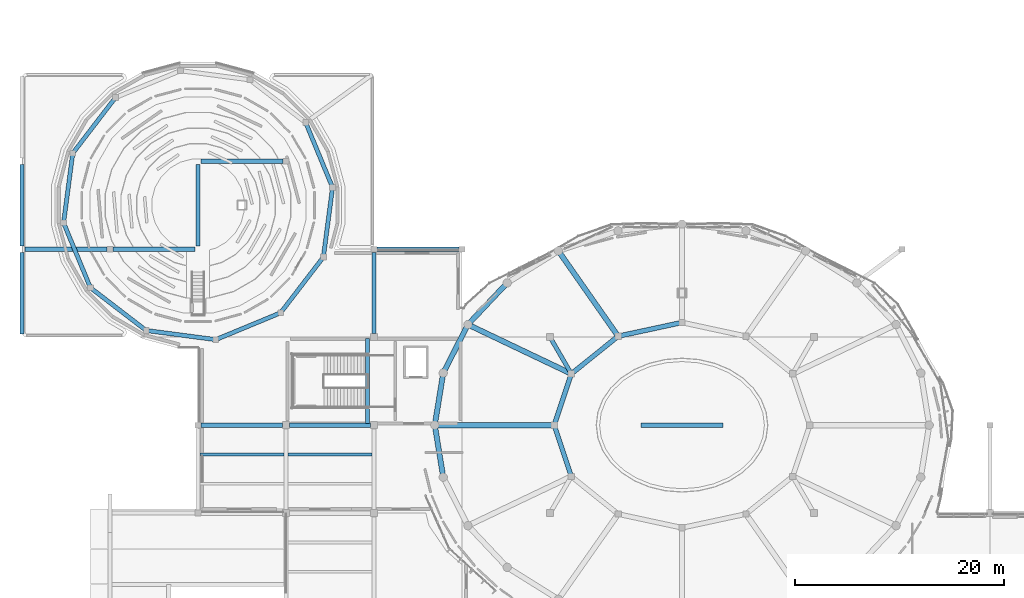
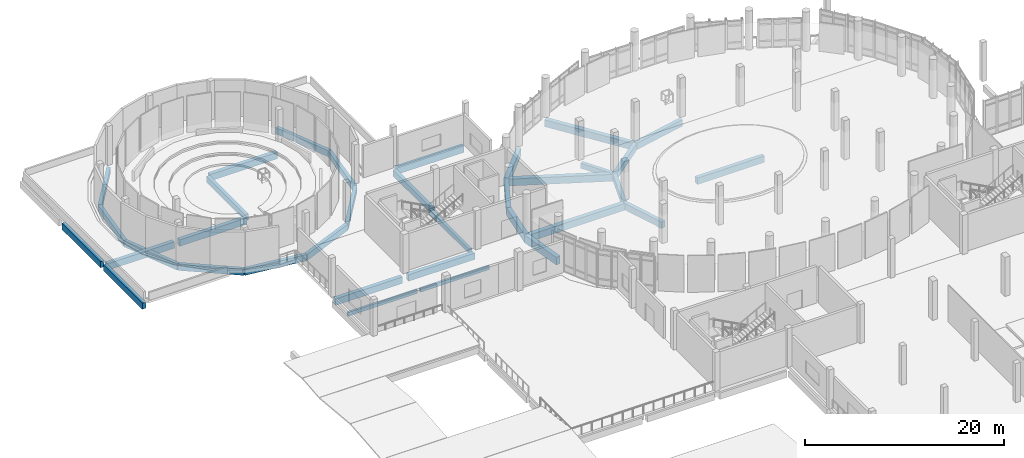
# One storey, part 11 of 63: 35 beams.
"""IFC4 building model written with IfcOpenShell, lengths in metres."""

from ifc_helpers import new_model, si_unit, derived_unit, direction, frame, origin, origin_2d, place, context, subcontext, project, spatial, rectangle, extrude, material, material_profile, profile_set, type_object, element, save


model = new_model("IFC4")

# Units and contexts
model_context = context("Model", 3, precision=1e-05, world=origin(), true_north=direction((0.0, 1.0)))
body_context = subcontext(model_context, "Body", "Model", "MODEL_VIEW")
ifc_project = project(units=[si_unit("LENGTHUNIT", "METRE"), si_unit("AREAUNIT", "SQUARE_METRE"), si_unit("VOLUMEUNIT", "CUBIC_METRE"), si_unit("PLANEANGLEUNIT", "RADIAN"), si_unit("MASSUNIT", "GRAM", prefix="KILO"), derived_unit("THERMALTRANSMITTANCEUNIT", [(si_unit("POWERUNIT", "WATT"), 1), (si_unit("LENGTHUNIT", "METRE"), -2), (si_unit("THERMODYNAMICTEMPERATUREUNIT", "KELVIN"), -1)])], contexts=[model_context])

# Site, building, storey
site_placement = place(None, origin())
site = spatial("IfcSite", under=ifc_project, at=site_placement, CompositionType="ELEMENT")
building_placement = place(site_placement, origin())
building = spatial("IfcBuilding", under=site, at=building_placement, Name="Elbkamm Science Centre", CompositionType="ELEMENT")
storey_placement = place(building_placement, frame((0.0, 0.0, 5.10009765625)))
storey = spatial("IfcBuildingStorey", under=building, at=storey_placement, Name="L01", CompositionType="ELEMENT", Elevation=5.10009765625)

# Beams
ifc_material = material(Name="Concrete C40/50", Category="concrete")
ifc_material_profile_1 = material_profile(ifc_material, rectangle(XDim=0.35009765625, YDim=0.60009765625, at=origin_2d()), Name="RC 350x600")
ifc_profile_set_1 = profile_set([ifc_material_profile_1], Name="Concrete C40/50")
beam_type_1 = type_object("IfcBeamType", Name="BM-RC-350x600", PredefinedType="BEAM", material=ifc_profile_set_1)
beam_1_placement = place(storey_placement, frame((32.97998046875, 67.35009765625, -0.300048828125), z_axis=(0.0, 1.0, 0.0), x_axis=(-1.0, 0.0, 0.0)))
element("IfcBeam", 1, at=beam_1_placement, inside=storey, type_object=beam_type_1, Name="L01 ST-C1 Landing Trimmer Beam", PredefinedType="BEAM", context=body_context, shape_type="SweptSolid", body=[
    extrude(rectangle(XDim=0.35009765625, YDim=0.60009765625, at=origin_2d()), origin(), (0.0, 0.0, 1.0), 8.099853515625),
])
ifc_material_profile_2 = material_profile(ifc_material, rectangle(XDim=0.39990234375, YDim=0.64990234375, at=origin_2d()), Name="RC 400x650")
ifc_profile_set_2 = profile_set([ifc_material_profile_2], Name="Concrete C40/50")
beam_type_2 = type_object("IfcBeamType", Name="BM-RC-400x650", PredefinedType="BEAM", material=ifc_profile_set_2)
beam_2_placement = place(storey_placement, frame((50.510498046875, 75.409912109375, -0.72509765625), z_axis=(0.502465212806, -0.864597426506, 0.0), x_axis=(0.864597426506, 0.502465212806, 0.0)))
element("IfcBeam", 2, at=beam_2_placement, inside=storey, type_object=beam_type_2, Name="L01 Perimeter Ring Tie Girder 028", PredefinedType="BEAM", context=body_context, shape_type="SweptSolid", body=[
    extrude(rectangle(XDim=0.39990234375, YDim=0.64990234375, at=origin_2d()), origin(), (0.0, 0.0, 1.0), 3.608154296875),
])
ifc_material_profile_3 = material_profile(ifc_material, rectangle(XDim=0.39990234375, YDim=0.75, at=origin_2d()), Name="RC 400x750")
ifc_profile_set_3 = profile_set([ifc_material_profile_3], Name="Concrete C40/50")
beam_type_3 = type_object("IfcBeamType", Name="BM-RC-400x750", PredefinedType="BEAM", material=ifc_profile_set_3)
beam_3_placement = place(storey_placement, frame((16.800048828125, 84.300048828125, -0.775146484375), z_axis=(0.0, 1.0, 0.0), x_axis=(-1.0, 0.0, 0.0)))
element("IfcBeam", 3, at=beam_3_placement, inside=storey, type_object=beam_type_3, Name="L01 Primary Y-Girder 002", PredefinedType="BEAM", context=body_context, shape_type="SweptSolid", body=[
    extrude(rectangle(XDim=0.39990234375, YDim=0.75, at=origin_2d()), origin(), (0.0, 0.0, 1.0), 7.800048828125),
])
beam_4_placement = place(storey_placement, frame((33.60009765625, 75.949951171875, -0.775146484375), z_axis=(0.0, 1.0, 0.0), x_axis=(-1.0, 0.0, 0.0)))
element("IfcBeam", 4, at=beam_4_placement, inside=storey, type_object=beam_type_3, Name="L01 Primary Y-Girder 011", PredefinedType="BEAM", context=body_context, shape_type="SweptSolid", body=[
    extrude(rectangle(XDim=0.39990234375, YDim=0.75, at=origin_2d()), origin(), (0.0, 0.0, 1.0), 7.75),
])
for number, where, z_axis, x_axis, name in (
    (5, (0.0, 75.89990234375, -0.64501953125), (0.0, 1.0, 0.0), (-1.0, 0.0, 0.0), "L01 Step-Back Primary Y-Girder 001"),
    (6, (0.0, 84.300048828125, -0.64501953125), (0.0, 1.0, 0.0), (-1.0, 0.0, 0.0), "L01 Step-Back Primary Y-Girder 002"),
):
    element("IfcBeam", number, at=place(storey_placement, frame(where, z_axis=z_axis, x_axis=x_axis)), inside=storey, type_object=beam_type_3, Name=name, PredefinedType="BEAM", context=body_context, shape_type="SweptSolid", body=[
        extrude(rectangle(XDim=0.39990234375, YDim=0.75, at=origin_2d()), origin(), (0.0, 0.0, 1.0), 7.800048828125),
    ])
beam_5_placement = place(storey_placement, frame((29.638916015625, 89.889892578125, -0.775146484375), z_axis=(-0.382641294893, 0.923896985298, 0.0), x_axis=(-0.923896985298, -0.382641294893, 0.0)))
element("IfcBeam", 7, at=beam_5_placement, inside=storey, type_object=beam_type_3, Name="L01 Planetarium Drum Ring Spandrel 01", PredefinedType="SPANDREL", context=body_context, shape_type="SweptSolid", body=[
    extrude(rectangle(XDim=0.39990234375, YDim=0.75, at=origin_2d()), origin(), (0.0, 0.0, 1.0), 6.703369140625),
])
beam_6_placement = place(storey_placement, frame((8.9169921875, 98.47412109375, -0.775146484375), z_axis=(-0.60879160017, -0.793330188233, 0.0), x_axis=(0.793330188233, -0.60879160017, 0.0)))
element("IfcBeam", 8, at=beam_6_placement, inside=storey, type_object=beam_type_3, Name="L01 Planetarium Drum Ring Spandrel 05", PredefinedType="SPANDREL", context=body_context, shape_type="SweptSolid", body=[
    extrude(rectangle(XDim=0.39990234375, YDim=0.75, at=origin_2d()), origin(), (0.0, 0.0, 1.0), 6.70361328125),
])
for number, where, z_axis, x_axis, name in (
    (9, (4.8359375, 93.156005859375, -0.775146484375), (-0.13053176669, -0.991444127465, 0.0), (0.991444127465, -0.13053176669, 0.0), "L01 Planetarium Drum Ring Spandrel 06"),
    (10, (3.9609375, 86.510009765625, -0.775146484375), (0.382641294893, -0.923896985298, 0.0), (0.923896985298, 0.382641294893, 0.0), "L01 Planetarium Drum Ring Spandrel 07"),
    (11, (6.52587890625, 80.31689453125, -0.775146484375), (0.793347778012, -0.608768677844, 0.0), (0.608768677844, 0.793347778012, 0.0), "L01 Planetarium Drum Ring Spandrel 08"),
    (12, (11.843994140625, 76.236083984375, -0.775146484375), (0.991444127465, -0.13053176669, 0.0), (0.13053176669, 0.991444127465, 0.0), "L01 Planetarium Drum Ring Spandrel 09"),
    (13, (18.489990234375, 75.361083984375, -0.775146484375), (0.923896985298, 0.382641294893, 0.0), (-0.382641294893, 0.923896985298, 0.0), "L01 Planetarium Drum Ring Spandrel 10"),
):
    element("IfcBeam", number, at=place(storey_placement, frame(where, z_axis=z_axis, x_axis=x_axis)), inside=storey, type_object=beam_type_3, Name=name, PredefinedType="SPANDREL", context=body_context, shape_type="SweptSolid", body=[
        extrude(rectangle(XDim=0.39990234375, YDim=0.75, at=origin_2d()), origin(), (0.0, 0.0, 1.0), 6.703369140625),
    ])
beam_7_placement = place(storey_placement, frame((24.68310546875, 77.926025390625, -0.775146484375), z_axis=(0.60878626804, 0.793334280015, 0.0), x_axis=(-0.793334280015, 0.60878626804, 0.0)))
element("IfcBeam", 14, at=beam_7_placement, inside=storey, type_object=beam_type_3, Name="L01 Planetarium Drum Ring Spandrel 11", PredefinedType="SPANDREL", context=body_context, shape_type="SweptSolid", body=[
    extrude(rectangle(XDim=0.39990234375, YDim=0.75, at=origin_2d()), origin(), (0.0, 0.0, 1.0), 6.703125),
])
beam_8_placement = place(storey_placement, frame((28.763916015625, 83.243896484375, -0.775146484375), z_axis=(0.13053176669, 0.991444127465, 0.0), x_axis=(-0.991444127465, 0.13053176669, 0.0)))
element("IfcBeam", 15, at=beam_8_placement, inside=storey, type_object=beam_type_3, Name="L01 Planetarium Drum Ring Spandrel 12", PredefinedType="SPANDREL", context=body_context, shape_type="SweptSolid", body=[
    extrude(rectangle(XDim=0.39990234375, YDim=0.75, at=origin_2d()), origin(), (0.0, 0.0, 1.0), 6.703369140625),
])
ifc_material_profile_4 = material_profile(ifc_material, rectangle(XDim=0.449951171875, YDim=0.800048828125, at=origin_2d()), Name="RC 450x800")
ifc_profile_set_4 = profile_set([ifc_material_profile_4], Name="Concrete C40/50")
beam_type_4 = type_object("IfcBeamType", Name="BM-RC-450x800", PredefinedType="BEAM", material=ifc_profile_set_4)
beam_9_placement = place(storey_placement, frame((17.10009765625, 67.199951171875, -0.800048828125), z_axis=(1.0, 0.0, 0.0), x_axis=(0.0, 1.0, 0.0)))
element("IfcBeam", 16, at=beam_9_placement, inside=storey, type_object=beam_type_4, Name="L01 Primary X-Girder 066", PredefinedType="BEAM", context=body_context, shape_type="SweptSolid", body=[
    extrude(rectangle(XDim=0.449951171875, YDim=0.800048828125, at=origin_2d()), origin(), (0.0, 0.0, 1.0), 7.75),
])
beam_10_placement = place(storey_placement, frame((25.550048828125, 67.199951171875, -0.800048828125), z_axis=(1.0, 0.0, 0.0), x_axis=(0.0, 1.0, 0.0)))
element("IfcBeam", 17, at=beam_10_placement, inside=storey, type_object=beam_type_4, Name="L01 Primary X-Girder 067", PredefinedType="BEAM", context=body_context, shape_type="SweptSolid", body=[
    extrude(rectangle(XDim=0.449951171875, YDim=0.800048828125, at=origin_2d()), origin(), (0.0, 0.0, 1.0), 7.699951171875),
])
for number, where, z_axis, x_axis, name in (
    (18, (8.699951171875, 84.0, -0.800048828125), (1.0, 0.0, 0.0), (0.0, 1.0, 0.0), "L01 Primary X-Girder 076"),
    (19, (33.89990234375, 84.0, -0.800048828125), (1.0, 0.0, 0.0), (0.0, 1.0, 0.0), "L01 Primary X-Girder 077"),
):
    element("IfcBeam", number, at=place(storey_placement, frame(where, z_axis=z_axis, x_axis=x_axis)), inside=storey, type_object=beam_type_4, Name=name, PredefinedType="BEAM", context=body_context, shape_type="SweptSolid", body=[
        extrude(rectangle(XDim=0.449951171875, YDim=0.800048828125, at=origin_2d()), origin(), (0.0, 0.0, 1.0), 7.800048828125),
    ])
for number, where, z_axis, x_axis, name in (
    (20, (17.10009765625, 92.39990234375, -0.800048828125), (1.0, 0.0, 0.0), (0.0, 1.0, 0.0), "L01 Primary X-Girder 082"),
    (21, (59.10009765625, 67.199951171875, -0.670166015625), (1.0, 0.0, 0.0), (0.0, 1.0, 0.0), "L01 Step-Back Primary X-Girder 001"),
):
    element("IfcBeam", number, at=place(storey_placement, frame(where, z_axis=z_axis, x_axis=x_axis)), inside=storey, type_object=beam_type_4, Name=name, PredefinedType="BEAM", context=body_context, shape_type="SweptSolid", body=[
        extrude(rectangle(XDim=0.449951171875, YDim=0.800048828125, at=origin_2d()), origin(), (0.0, 0.0, 1.0), 7.7998046875),
    ])
beam_11_placement = place(storey_placement, frame((0.300048828125, 84.0, -0.800048828125), z_axis=(1.0, 0.0, 0.0), x_axis=(0.0, 1.0, 0.0)))
element("IfcBeam", 22, at=beam_11_placement, inside=storey, type_object=beam_type_4, Name="L01 Step-Back Primary X-Girder 002", PredefinedType="BEAM", context=body_context, shape_type="SweptSolid", body=[
    extrude(rectangle(XDim=0.449951171875, YDim=0.800048828125, at=origin_2d()), origin(), (0.0, 0.0, 1.0), 7.800048828125),
])
beam_12_placement = place(storey_placement, frame((63.0, 77.0, -0.800048828125), z_axis=(-0.97761076487, -0.210421463759, 0.0), x_axis=(0.210421463759, -0.97761076487, 0.0)))
element("IfcBeam", 23, at=beam_12_placement, inside=storey, type_object=beam_type_4, Name="L01 Atrium Ring Girder 04", PredefinedType="BEAM", context=body_context, shape_type="SweptSolid", body=[
    extrude(rectangle(XDim=0.449951171875, YDim=0.800048828125, at=origin_2d()), origin(), (0.0, 0.0, 1.0), 6.23974609375),
])
beam_13_placement = place(storey_placement, frame((56.89990234375, 75.68701171875, -0.800048828125), z_axis=(-0.779653109273, -0.626211648887, 0.0), x_axis=(0.626211648887, -0.779653109273, 0.0)))
element("IfcBeam", 24, at=beam_13_placement, inside=storey, type_object=beam_type_4, Name="L01 Atrium Ring Girder 05", PredefinedType="BEAM", context=body_context, shape_type="SweptSolid", body=[
    extrude(rectangle(XDim=0.449951171875, YDim=0.800048828125, at=origin_2d()), origin(), (0.0, 0.0, 1.0), 5.72802734375),
])
beam_14_placement = place(storey_placement, frame((52.43408203125, 72.10009765625, -0.800048828125), z_axis=(-0.31634119852, -0.948645479681, 0.0), x_axis=(0.948645479681, -0.31634119852, 0.0)))
element("IfcBeam", 25, at=beam_14_placement, inside=storey, type_object=beam_type_4, Name="L01 Atrium Ring Girder 06", PredefinedType="BEAM", context=body_context, shape_type="SweptSolid", body=[
    extrude(rectangle(XDim=0.449951171875, YDim=0.800048828125, at=origin_2d()), origin(), (0.0, 0.0, 1.0), 5.16552734375),
])
beam_15_placement = place(storey_placement, frame((50.800048828125, 67.199951171875, -0.800048828125), z_axis=(0.316355382987, -0.948640749523, 0.0), x_axis=(0.948640749523, 0.316355382987, 0.0)))
element("IfcBeam", 26, at=beam_15_placement, inside=storey, type_object=beam_type_4, Name="L01 Atrium Ring Girder 07", PredefinedType="BEAM", context=body_context, shape_type="SweptSolid", body=[
    extrude(rectangle(XDim=0.449951171875, YDim=0.800048828125, at=origin_2d()), origin(), (0.0, 0.0, 1.0), 5.165283203125),
])
ifc_material_profile_5 = material_profile(ifc_material, rectangle(XDim=0.5, YDim=0.85009765625, at=origin_2d()), Name="RC 500x850")
ifc_profile_set_5 = profile_set([ifc_material_profile_5], Name="Concrete C40/50")
beam_type_5 = type_object("IfcBeamType", Name="BM-RC-500x850", PredefinedType="BEAM", material=ifc_profile_set_5)
beam_16_placement = place(storey_placement, frame((56.89990234375, 75.68701171875, -0.8251953125), z_axis=(-0.573553022395, 0.819168438419, 0.0), x_axis=(-0.819168438419, -0.573553022395, 0.0)))
element("IfcBeam", 27, at=beam_16_placement, inside=storey, type_object=beam_type_5, Name="L01 Elliptical Radial Girder 05", PredefinedType="BEAM", context=body_context, shape_type="SweptSolid", body=[
    extrude(rectangle(XDim=0.5, YDim=0.85009765625, at=origin_2d()), origin(), (0.0, 0.0, 1.0), 9.93798828125),
])
beam_17_placement = place(storey_placement, frame((52.43408203125, 72.10009765625, -0.8251953125), z_axis=(-0.902897249077, 0.429856438371, 0.0), x_axis=(-0.429856438371, -0.902897249077, 0.0)))
element("IfcBeam", 28, at=beam_17_placement, inside=storey, type_object=beam_type_5, Name="L01 Elliptical Radial Girder 06", PredefinedType="BEAM", context=body_context, shape_type="SweptSolid", body=[
    extrude(rectangle(XDim=0.5, YDim=0.85009765625, at=origin_2d()), origin(), (0.0, 0.0, 1.0), 10.933837890625),
])
beam_18_placement = place(storey_placement, frame((50.800048828125, 67.199951171875, -0.8251953125), z_axis=(-1.0, 0.0, 0.0), x_axis=(0.0, -1.0, 0.0)))
element("IfcBeam", 29, at=beam_18_placement, inside=storey, type_object=beam_type_5, Name="L01 Elliptical Radial Girder 07", PredefinedType="BEAM", context=body_context, shape_type="SweptSolid", body=[
    extrude(rectangle(XDim=0.5, YDim=0.85009765625, at=origin_2d()), origin(), (0.0, 0.0, 1.0), 11.400146484375),
])
ifc_material_profile_6 = material_profile(ifc_material, rectangle(XDim=0.5, YDim=0.949951171875, at=origin_2d()), Name="RC 500x950")
ifc_profile_set_6 = profile_set([ifc_material_profile_6], Name="Concrete C40/50")
beam_type_6 = type_object("IfcBeamType", Name="BM-RC-500x950", PredefinedType="BEAM", material=ifc_profile_set_6)
beam_19_placement = place(storey_placement, frame((46.31201171875, 80.77587890625, -0.875), z_axis=(-0.686144611421, -0.727465169075, 0.0), x_axis=(0.727465169075, -0.686144611421, 0.0)))
element("IfcBeam", 30, at=beam_19_placement, inside=storey, type_object=beam_type_6, Name="L01 Elliptical Shell Perimeter Ring Beam 10", PredefinedType="SPANDREL", context=body_context, shape_type="SweptSolid", body=[
    extrude(rectangle(XDim=0.5, YDim=0.949951171875, at=origin_2d()), origin(), (0.0, 0.0, 1.0), 5.46533203125),
])
beam_20_placement = place(storey_placement, frame((42.56201171875, 76.800048828125, -0.875), z_axis=(-0.453722384609, -0.891143084866, 0.0), x_axis=(0.891143084866, -0.453722384609, 0.0)))
element("IfcBeam", 31, at=beam_20_placement, inside=storey, type_object=beam_type_6, Name="L01 Elliptical Shell Perimeter Ring Beam 11", PredefinedType="SPANDREL", context=body_context, shape_type="SweptSolid", body=[
    extrude(rectangle(XDim=0.5, YDim=0.949951171875, at=origin_2d()), origin(), (0.0, 0.0, 1.0), 5.19677734375),
])
for number, where, z_axis, x_axis, name in (
    (32, (40.2041015625, 72.1689453125, -0.875), (-0.15976460627, -0.987155140078, 0.0), (0.987155140078, -0.15976460627, 0.0), "L01 Elliptical Shell Perimeter Ring Beam 12"),
    (33, (39.39990234375, 67.199951171875, -0.875), (0.15976460627, -0.987155140078, 0.0), (0.987155140078, 0.15976460627, 0.0), "L01 Elliptical Shell Perimeter Ring Beam 13"),
):
    element("IfcBeam", number, at=place(storey_placement, frame(where, z_axis=z_axis, x_axis=x_axis)), inside=storey, type_object=beam_type_6, Name=name, PredefinedType="SPANDREL", context=body_context, shape_type="SweptSolid", body=[
        extrude(rectangle(XDim=0.5, YDim=0.949951171875, at=origin_2d()), origin(), (0.0, 0.0, 1.0), 5.03369140625),
    ])
ifc_material_profile_7 = material_profile(ifc_material, rectangle(XDim=0.25, YDim=0.449951171875, at=origin_2d()), Name="RC 250x450")
ifc_profile_set_7 = profile_set([ifc_material_profile_7], Name="Concrete C40/50")
beam_type_7 = type_object("IfcBeamType", Name="JST-RC-250x450", PredefinedType="JOIST", material=ifc_profile_set_7)
for number, where, z_axis, x_axis, name in (
    (34, (16.97998046875, 64.39990234375, -0.625), (1.0, 0.0, 0.0), (0.0, 1.0, 0.0), "L01 Secondary Floor Joist 002"),
    (35, (25.3798828125, 64.39990234375, -0.625), (1.0, 0.0, 0.0), (0.0, 1.0, 0.0), "L01 Secondary Floor Joist 010"),
):
    element("IfcBeam", number, at=place(storey_placement, frame(where, z_axis=z_axis, x_axis=x_axis)), inside=storey, type_object=beam_type_7, Name=name, PredefinedType="JOIST", context=body_context, shape_type="SweptSolid", body=[
        extrude(rectangle(XDim=0.25, YDim=0.449951171875, at=origin_2d()), origin(), (0.0, 0.0, 1.0), 8.0400390625),
    ])

save(model, "model.ifc")
